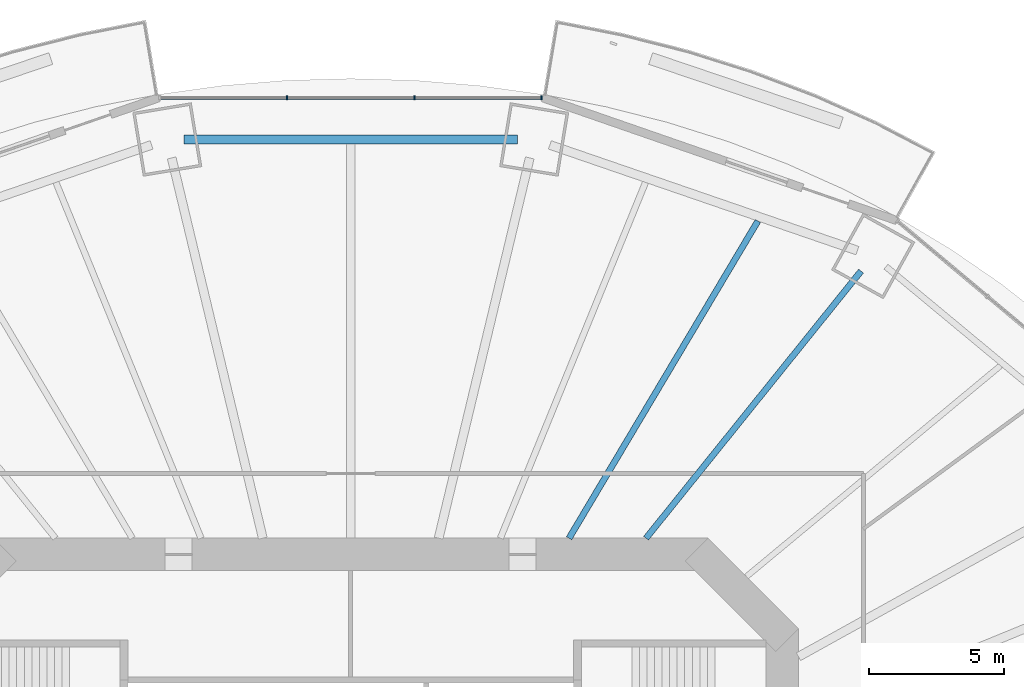
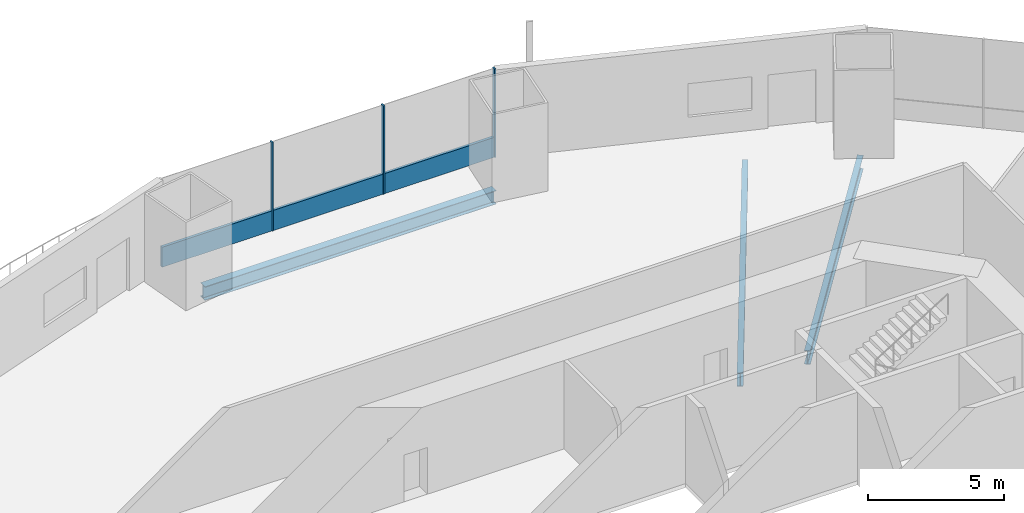
# One storey, part 9 of 23: 4 members, 3 beams, 1 element without a shape of its own.
"""IFC4 building model written with IfcOpenShell, lengths in metres."""

import ifcopenshell
import ifcopenshell.guid

model = None  # the IFC model being written
_history = None  # IfcOwnerHistory: only IFC2X3 demands one
_inside = {}  # id of a spatial element -> (the spatial element, [elements in it])
_under = {}  # id of a project, library or spatial element -> (it, [spatial elements below it])
_declared = {}  # id of a project -> (the project, [libraries it declares])
_typed = {}  # id of a type object -> (the type object, [elements of that type])
_made_of = {}  # id of a material, layer set ... -> (it, [elements and type objects made of it])


def new_model(schema):
    """Start an empty IFC model of exactly this schema.

    Asked for "IFC4X3", IfcOpenShell would pick the latest addendum, in which some entities
    have other attributes; the version numbers below select the first issue.
    IFC2X3 requires an IfcOwnerHistory on every rooted entity: one is made here for all.
    """
    global model, _history
    if schema == "IFC4X3":
        model = ifcopenshell.file(schema_version=(4, 3, 0, 0))
    else:
        model = ifcopenshell.file(schema=schema)
    _inside.clear()
    _under.clear()
    _declared.clear()
    _typed.clear()
    _made_of.clear()
    _history = None
    if model.schema == "IFC2X3":
        org = make("IfcOrganization", Name="unknown")
        user = make(
            "IfcPersonAndOrganization",
            ThePerson=make("IfcPerson", FamilyName="unknown"),
            TheOrganization=org,
        )
        app = make(
            "IfcApplication",
            ApplicationDeveloper=org,
            Version="unknown",
            ApplicationFullName="unknown",
            ApplicationIdentifier="unknown",
        )
        _history = make(
            "IfcOwnerHistory",
            OwningUser=user,
            OwningApplication=app,
            ChangeAction="ADDED",
            CreationDate=0,
        )
    return model


def make(cls, **values):
    """One entity of the class cls with the attributes given. An attribute that is None is left unset."""
    return model.create_entity(
        cls, **{name: value for name, value in values.items() if value is not None}
    )


def rooted(cls, **values):
    """An entity with a GlobalId (a new one), such as an element, a storey or a relation."""
    return make(cls, GlobalId=ifcopenshell.guid.new(), OwnerHistory=_history, **values)


def si_unit(unit_type, name, prefix=None):
    """IfcSIUnit, for example si_unit("LENGTHUNIT", "METRE", prefix="MILLI")."""
    return make("IfcSIUnit", UnitType=unit_type, Prefix=prefix, Name=name)


def assignment(units):
    """IfcUnitAssignment: the units of a project."""
    return None if units is None else make("IfcUnitAssignment", Units=units)


def point(xyz):
    """IfcCartesianPoint."""
    return None if xyz is None else make("IfcCartesianPoint", Coordinates=xyz)


def direction(xyz):
    """IfcDirection."""
    return None if xyz is None else make("IfcDirection", DirectionRatios=xyz)


def frame(location, z_axis=None, x_axis=None):
    """IfcAxis2Placement3D, a coordinate frame: its origin and axes. An axis left out is left unset."""
    return make(
        "IfcAxis2Placement3D",
        Location=point(location),
        Axis=direction(z_axis),
        RefDirection=direction(x_axis),
    )


def frame_2d(location, x_axis=None):
    """IfcAxis2Placement2D, a coordinate frame in the plane: its origin and x axis."""
    return make(
        "IfcAxis2Placement2D", Location=point(location), RefDirection=direction(x_axis)
    )


def origin():
    """The frame at (0, 0, 0) with its axes left unset."""
    return frame((0.0, 0.0, 0.0))


def origin_2d():
    """The frame at (0, 0) in the plane with its x axis left unset."""
    return frame_2d((0.0, 0.0))


def place(relative_to, where):
    """IfcLocalPlacement: puts the frame where relative to a parent placement (None: the world)."""
    return make(
        "IfcLocalPlacement", PlacementRelTo=relative_to, RelativePlacement=where
    )


def context(
    kind, dimensions, precision=None, world=None, true_north=None, identifier=None
):
    """IfcGeometricRepresentationContext, for example the 3D "Model" context."""
    return make(
        "IfcGeometricRepresentationContext",
        ContextIdentifier=identifier,
        ContextType=kind,
        CoordinateSpaceDimension=dimensions,
        Precision=precision,
        WorldCoordinateSystem=world,
        TrueNorth=true_north,
    )


def subcontext(parent, identifier, kind, view, scale=None):
    """IfcGeometricRepresentationSubContext, for example "Body" below "Model"."""
    return make(
        "IfcGeometricRepresentationSubContext",
        ContextIdentifier=identifier,
        ContextType=kind,
        ParentContext=parent,
        TargetScale=scale,
        TargetView=view,
    )


def project(units=None, contexts=None):
    """IfcProject with its units and contexts."""
    return rooted(
        "IfcProject",
        Name="project",
        RepresentationContexts=contexts,
        UnitsInContext=assignment(units),
    )


def spatial(cls, under=None, at=None, **own):
    """A site, building, storey or space (cls), placed at a placement, below another one or the project."""
    s = rooted(cls, ObjectPlacement=at, **own)
    if under is not None:
        _under.setdefault(under.id(), (under, []))[1].append(s)
    return s


def profile(cls, at=None, kind="AREA", **sizes):
    """A parametric profile (cls). Its sizes go by their IFC names, for example OverallWidth=200.0."""
    return make(cls, ProfileType=kind, Position=at, **sizes)


def rectangle(**sizes):
    """IfcRectangleProfileDef."""
    return profile("IfcRectangleProfileDef", **sizes)


def i_section(**sizes):
    """IfcIShapeProfileDef."""
    return profile("IfcIShapeProfileDef", **sizes)


def extrude(swept, where, along, depth):
    """IfcExtrudedAreaSolid: the profile swept, set in the frame where, extruded along a direction by depth."""
    return make(
        "IfcExtrudedAreaSolid",
        SweptArea=swept,
        Position=where,
        ExtrudedDirection=direction(along),
        Depth=depth,
    )


def shape(context_of_items, identifier, shape_type, items):
    """IfcShapeRepresentation: the items that make up one representation, for example the "Body"."""
    return make(
        "IfcShapeRepresentation",
        ContextOfItems=context_of_items,
        RepresentationIdentifier=identifier,
        RepresentationType=shape_type,
        Items=items,
    )


def material(Name=None, Category=None):
    """IfcMaterial."""
    return make("IfcMaterial", Name=Name, Category=Category)


def material_profile(
    of_material, cross_section, Name=None, Category=None, Priority=None
):
    """IfcMaterialProfile: a cross section and its material."""
    return make(
        "IfcMaterialProfile",
        Name=Name,
        Material=of_material,
        Profile=cross_section,
        Priority=Priority,
        Category=Category,
    )


def profile_set(profiles, Name=None, composite=None):
    """IfcMaterialProfileSet."""
    return make(
        "IfcMaterialProfileSet",
        Name=Name,
        MaterialProfiles=profiles,
        CompositeProfile=composite,
    )


def made_of(thing, what):
    """Note that an element or type object is made of a material, layer set ...; save() writes the relation."""
    if what is not None:
        _made_of.setdefault(what.id(), (what, []))[1].append(thing)
    return thing


def type_object(cls, material=None, **own):
    """A type object (cls), such as IfcWallType, which elements share."""
    return made_of(rooted(cls, **own), material)


def element(
    cls,
    number,
    at=None,
    inside=None,
    cuts=None,
    type_object=None,
    material=None,
    context=None,
    identifier="Body",
    shape_type=None,
    held_by="IfcProductDefinitionShape",
    body=None,
    shapes=None,
    **own,
):
    """One element of the class cls, such as IfcWall. Its Tag is "e" and its number.

    at: its placement. inside: the storey or other place that contains it. cuts: it is an
    opening in that element (IfcRelVoidsElement). A single representation is given by context,
    identifier, shape_type and body (its items); several are given by shapes. held_by: the class
    of the entity that holds the representations. save() writes the other relations.
    """
    e = rooted(cls, Tag="e%d" % number, ObjectPlacement=at, **own)
    if body is not None:
        shapes = [shape(context, identifier, shape_type, body)]
    if shapes is not None:
        e.Representation = make(held_by, Representations=shapes)
    if inside is not None:
        _inside.setdefault(inside.id(), (inside, []))[1].append(e)
    if cuts is not None:
        rooted(
            "IfcRelVoidsElement", RelatingBuildingElement=cuts, RelatedOpeningElement=e
        )
    if type_object is not None:
        _typed.setdefault(type_object.id(), (type_object, []))[1].append(e)
    return made_of(e, material)


def aggregate(whole, parts):
    """IfcRelAggregates: a whole, such as a stair, and the parts it consists of."""
    return rooted("IfcRelAggregates", RelatingObject=whole, RelatedObjects=parts)


def save(model, path):
    """Write the relations noted so far, then the file.

    IfcRelAggregates (storeys below a building ...), IfcRelContainedInSpatialStructure (elements
    in a storey), IfcRelDefinesByType, IfcRelAssociatesMaterial and IfcRelDeclares: one each for
    every whole, place, type object, material and project.
    """
    for whole, parts in _under.values():
        aggregate(whole, parts)
    for where, things in _inside.values():
        rooted(
            "IfcRelContainedInSpatialStructure",
            RelatedElements=things,
            RelatingStructure=where,
        )
    for kind, things in _typed.values():
        rooted("IfcRelDefinesByType", RelatedObjects=things, RelatingType=kind)
    for what, things in _made_of.values():
        rooted("IfcRelAssociatesMaterial", RelatedObjects=things, RelatingMaterial=what)
    for by, libraries in _declared.values():
        rooted("IfcRelDeclares", RelatingContext=by, RelatedDefinitions=libraries)
    model.write(path)


model = new_model("IFC4")

# Units and contexts
model_context = context("Model", 3, precision=1e-05, world=origin(), true_north=direction((0.0, 1.0)))
body_context = subcontext(model_context, "Body", "Model", "MODEL_VIEW")
ifc_project = project(units=[si_unit("LENGTHUNIT", "METRE"), si_unit("AREAUNIT", "SQUARE_METRE"), si_unit("VOLUMEUNIT", "CUBIC_METRE"), si_unit("PLANEANGLEUNIT", "RADIAN"), si_unit("MASSUNIT", "GRAM", prefix="KILO")], contexts=[model_context])

# Site, building, storey
site_placement = place(None, origin())
site = spatial("IfcSite", under=ifc_project, at=site_placement, CompositionType="ELEMENT")
building_placement = place(site_placement, origin())
building = spatial("IfcBuilding", under=site, at=building_placement, Name="Marenthal Gate Tower", CompositionType="ELEMENT")
storey_placement = place(building_placement, frame((0.0, 0.0, 53.75)))
storey = spatial("IfcBuildingStorey", under=building, at=storey_placement, Name="L09", CompositionType="ELEMENT", Elevation=53.75)

# Curtain wall, members
ifc_material_1 = material(Name="Aluminium and glass", Category="aluminium")
curtain_wall_type = type_object("IfcCurtainWallType", Name="Curtain wall typical low", PredefinedType="NOTDEFINED", material=ifc_material_1)
curtain_wall_placement = place(storey_placement, origin())
curtain_wall = element("IfcCurtainWall", 1, at=curtain_wall_placement, inside=storey, type_object=curtain_wall_type, Name="Curtain wall L09 bay 4", PredefinedType="NOTDEFINED")
ifc_material_2 = material(Name="Aluminium", Category="aluminium")
ifc_material_profile_1 = material_profile(ifc_material_2, rectangle(XDim=0.159912109375, YDim=0.06005859375, at=origin_2d()), Name="60x160 aluminium mullion")
ifc_profile_set_1 = profile_set([ifc_material_profile_1], Name="Aluminium")
member_type_1 = type_object("IfcMemberType", Name="Mullion 60x160 typical low", PredefinedType="MULLION", material=ifc_profile_set_1)
member_1_placement = place(storey_placement, frame((7.07861328125, 29.9287109375, 0.0), z_axis=(0.0, 0.0, 1.0), x_axis=(0.0, -1.0, 0.0)))
member_1 = element("IfcMember", 2, at=member_1_placement, type_object=member_type_1, Name="Mullion L09 bay 4.1", PredefinedType="MULLION", context=body_context, shape_type="SweptSolid", body=[
    extrude(rectangle(XDim=0.159912109375, YDim=0.06005859375, at=origin_2d()), origin(), (0.0, 0.0, 1.0), 3.969970703125),
])
member_2_placement = place(storey_placement, frame((2.359619140625, 29.9287109375, 0.0), z_axis=(0.0, 0.0, 1.0), x_axis=(0.0, -1.0, 0.0)))
member_2 = element("IfcMember", 3, at=member_2_placement, type_object=member_type_1, Name="Mullion L09 bay 4.2", PredefinedType="MULLION", context=body_context, shape_type="SweptSolid", body=[
    extrude(rectangle(XDim=0.159912109375, YDim=0.06005859375, at=origin_2d()), origin(), (0.0, 0.0, 1.0), 3.969970703125),
])
member_3_placement = place(storey_placement, frame((-2.359619140625, 29.9287109375, 0.0), z_axis=(0.0, 0.0, 1.0), x_axis=(0.0, -1.0, 0.0)))
member_3 = element("IfcMember", 4, at=member_3_placement, type_object=member_type_1, Name="Mullion L09 bay 4.3", PredefinedType="MULLION", context=body_context, shape_type="SweptSolid", body=[
    extrude(rectangle(XDim=0.159912109375, YDim=0.06005859375, at=origin_2d()), origin(), (0.0, 0.0, 1.0), 3.969970703125),
])
ifc_material_3 = material(Name="Aluminium", Category="aluminium")
ifc_material_profile_2 = material_profile(ifc_material_3, rectangle(XDim=0.1201171875, YDim=0.89990234375, at=origin_2d()), Name="120x900 aluminium transom")
ifc_profile_set_2 = profile_set([ifc_material_profile_2], Name="Aluminium")
member_type_2 = type_object("IfcMemberType", Name="Transom 120x900 typical low", PredefinedType="USERDEFINED", material=ifc_profile_set_2)
member_4_placement = place(storey_placement, frame((7.048583984375, 29.9287109375, 0.449951171875), z_axis=(-1.0, 0.0, 0.0), x_axis=(0.0, -1.0, 0.0)))
member_4 = element("IfcMember", 5, at=member_4_placement, type_object=member_type_2, Name="Transom L09 bay 4", ObjectType="TRANSOM", PredefinedType="USERDEFINED", context=body_context, shape_type="SweptSolid", body=[
    extrude(rectangle(XDim=0.1201171875, YDim=0.89990234375, at=origin_2d()), origin(), (0.0, 0.0, 1.0), 14.09716796875),
])
aggregate(curtain_wall, [member_1, member_2, member_3, member_4])

# Beams
ifc_material_4 = material(Name="Steel S355", Category="steel")
ifc_material_profile_3 = material_profile(ifc_material_4, i_section(OverallWidth=0.22900390625, OverallDepth=0.612060546875, WebThickness=0.011962890625, FlangeThickness=0.01953125, FilletRadius=0.0126953125, at=origin_2d()), Name="W610X125")
ifc_profile_set_3 = profile_set([ifc_material_profile_3], Name="Steel S355")
beam_type_1 = type_object("IfcBeamType", Name="W610X125 beam", PredefinedType="BEAM", material=ifc_profile_set_3)
beam_1_placement = place(storey_placement, frame((18.916015625, 23.49951171875, -0.486083984375), z_axis=(-0.627042105716, -0.778985364214, 0.0), x_axis=(0.778985364214, -0.627042105716, 0.0)))
element("IfcBeam", 6, at=beam_1_placement, inside=storey, type_object=beam_type_1, Name="BM-L09-03", PredefinedType="BEAM", context=body_context, shape_type="SweptSolid", body=[
    extrude(i_section(OverallWidth=0.22900390625, OverallDepth=0.612060546875, WebThickness=0.011962890625, FlangeThickness=0.01953125, FilletRadius=0.0126953125, at=origin_2d()), origin(), (0.0, 0.0, 1.0), 12.7080078125),
])
beam_2_placement = place(storey_placement, frame((15.0927734375, 25.356201171875, -0.486083984375), z_axis=(-0.511477271469, -0.859296805982, 0.0), x_axis=(0.859296805982, -0.511477271469, 0.0)))
element("IfcBeam", 7, at=beam_2_placement, inside=storey, type_object=beam_type_1, Name="BM-L09-20", PredefinedType="BEAM", context=body_context, shape_type="SweptSolid", body=[
    extrude(i_section(OverallWidth=0.22900390625, OverallDepth=0.612060546875, WebThickness=0.011962890625, FlangeThickness=0.01953125, FilletRadius=0.0126953125, at=origin_2d()), origin(), (0.0, 0.0, 1.0), 13.68115234375),
])
ifc_material_5 = material(Name="Steel S355", Category="steel")
ifc_material_profile_4 = material_profile(ifc_material_5, i_section(OverallWidth=0.324951171875, OverallDepth=0.612060546875, WebThickness=0.0126953125, FlangeThickness=0.01904296875, FilletRadius=0.0126953125, at=origin_2d()), Name="W610X155")
ifc_profile_set_4 = profile_set([ifc_material_profile_4], Name="Steel S355")
beam_type_2 = type_object("IfcBeamType", Name="W610X155 beam", PredefinedType="BEAM", material=ifc_profile_set_4)
beam_3_placement = place(storey_placement, frame((6.185546875, 28.37890625, -0.486083984375), z_axis=(-1.0, 0.0, 0.0), x_axis=(0.0, -1.0, 0.0)))
element("IfcBeam", 8, at=beam_3_placement, inside=storey, type_object=beam_type_2, Name="BM-L09-44", PredefinedType="BEAM", context=body_context, shape_type="SweptSolid", body=[
    extrude(i_section(OverallWidth=0.324951171875, OverallDepth=0.612060546875, WebThickness=0.0126953125, FlangeThickness=0.01904296875, FilletRadius=0.0126953125, at=origin_2d()), origin(), (0.0, 0.0, 1.0), 12.37109375),
])

save(model, "model.ifc")
